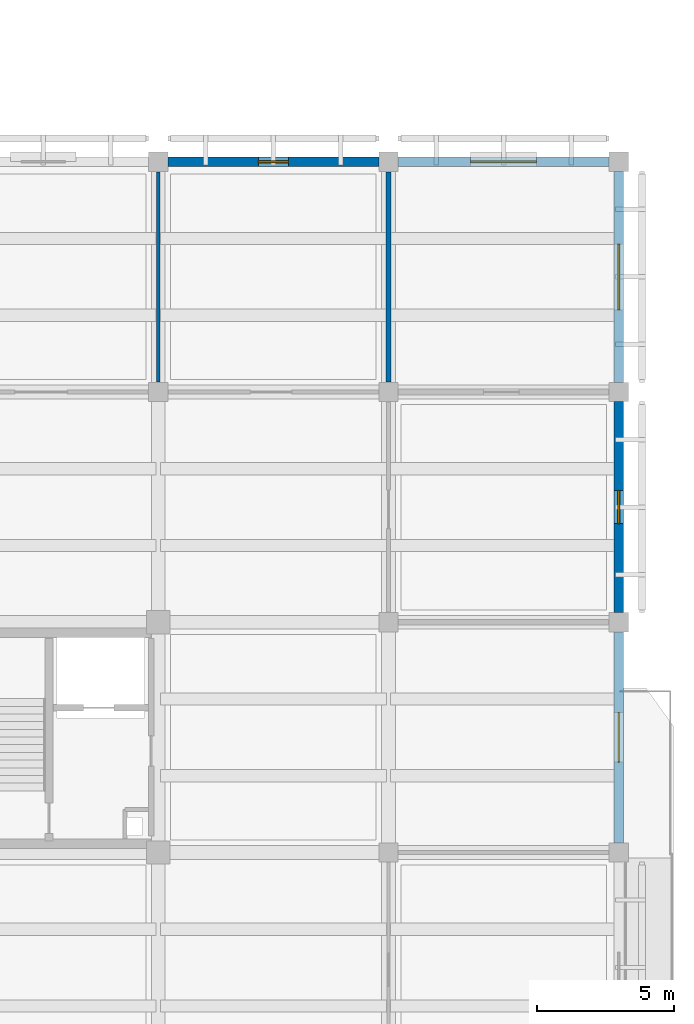
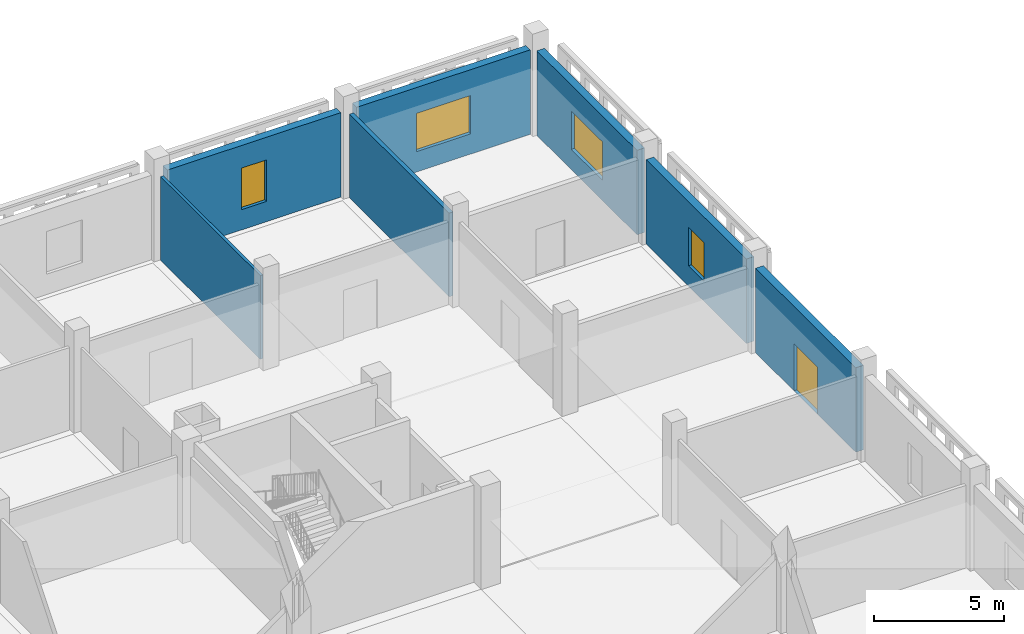
# One storey, part 74 of 129: 7 walls, 4 windows, 1 door, 5 openings.
"""IFC4 building model written with IfcOpenShell, lengths in metres."""

from ifc_helpers import new_model, si_unit, direction, frame, frame_2d, origin, place, context, subcontext, project, spatial, rectangle, extrude, material, layer, layer_set, type_object, element, fill, save


model = new_model("IFC4")

# Units and contexts
model_context = context("Model", 3, precision=1e-05, world=origin(), true_north=direction((0.0, 1.0)))
body_context = subcontext(model_context, "Body", "Model", "MODEL_VIEW")
ifc_project = project(units=[si_unit("LENGTHUNIT", "METRE"), si_unit("AREAUNIT", "SQUARE_METRE"), si_unit("VOLUMEUNIT", "CUBIC_METRE"), si_unit("PLANEANGLEUNIT", "RADIAN"), si_unit("MASSUNIT", "GRAM", prefix="KILO")], contexts=[model_context])

# Site, building, storey
site_placement = place(None, origin())
site = spatial("IfcSite", under=ifc_project, at=site_placement, CompositionType="ELEMENT")
building_placement = place(site_placement, origin())
building = spatial("IfcBuilding", under=site, at=building_placement, Name="Varnapada Polytechnic", CompositionType="ELEMENT")
storey_placement = place(building_placement, origin())
storey = spatial("IfcBuildingStorey", under=building, at=storey_placement, Name="L00", CompositionType="ELEMENT", Elevation=0.0)

# Walls
ifc_material_1 = material(Name="Gypsum Plasterboard Acoustic Partition")
ifc_layer_1 = layer(ifc_material_1, 0.125)
ifc_layer_set_1 = layer_set([ifc_layer_1], Name="Gypsum Plasterboard Acoustic Partition")
wall_type_1 = type_object("IfcWallType", Name="Interior Wall IW-03", PredefinedType="PARTITIONING", material=ifc_layer_set_1)
wall_1_placement = place(storey_placement, frame((159.60009765625, 109.570068359375, 0.0), z_axis=(0.0, 0.0, 1.0), x_axis=(0.0, 1.0, 0.0)))
element("IfcWall", 1, at=wall_1_placement, inside=storey, type_object=wall_type_1, Name="L00 interior partition IW-L00-18-13-V", PredefinedType="PARTITIONING", context=body_context, shape_type="SweptSolid", body=[
    extrude(rectangle(XDim=7.659912109375, YDim=0.125, at=frame_2d((3.830078125, 0.0))), origin(), (0.0, 0.0, 1.0), 3.919921875),
])
ifc_material_2 = material(Name="Acoustic Double-Stud Studio Partition")
ifc_layer_2 = layer(ifc_material_2, 0.179931640625)
ifc_layer_set_2 = layer_set([ifc_layer_2], Name="Acoustic Double-Stud Studio Partition")
wall_type_2 = type_object("IfcWallType", Name="Interior Wall IW-06", PredefinedType="PARTITIONING", material=ifc_layer_set_2)
wall_2_placement = place(storey_placement, frame((168.0, 109.570068359375, 0.0), z_axis=(0.0, 0.0, 1.0), x_axis=(0.0, 1.0, 0.0)))
element("IfcWall", 2, at=wall_2_placement, inside=storey, type_object=wall_type_2, Name="L00 interior partition IW-L00-19-13-V", PredefinedType="PARTITIONING", context=body_context, shape_type="SweptSolid", body=[
    extrude(rectangle(XDim=7.659912109375, YDim=0.179931640625, at=frame_2d((3.830078125, 0.0))), origin(), (0.0, 0.0, 1.0), 3.919921875),
])

# Wall, opening, window
ifc_material_3 = material(Name="Precast concrete C40/50", Category="concrete")
ifc_layer_3 = layer(ifc_material_3, 0.340087890625)
ifc_layer_set_3 = layer_set([ifc_layer_3], Name="Precast concrete C40/50")
wall_type_3 = type_object("IfcWallType", Name="Wall EW-07", PredefinedType="SOLIDWALL", material=ifc_layer_set_3)
wall_3_placement = place(storey_placement, frame((159.949951171875, 117.60009765625, 0.0), z_axis=(0.0, 0.0, 1.0), x_axis=(1.0, 0.0, 0.0)))
wall_3 = element("IfcWall", 3, at=wall_3_placement, inside=storey, type_object=wall_type_3, Name="L00 exterior wall EW-07 (96)", PredefinedType="SOLIDWALL", context=body_context, shape_type="SweptSolid", body=[
    extrude(rectangle(XDim=7.699951171875, YDim=0.340087890625, at=frame_2d((3.85009765625, 0.0))), origin(), (0.0, 0.0, 1.0), 3.9599609375),
])
opening_1_placement = place(wall_3_placement, frame((3.300048828125, 0.0, 0.949951171875)))
opening_1 = element("IfcOpeningElement", 4, at=opening_1_placement, cuts=wall_3, Name="Opening WN-15", PredefinedType="OPENING", context=body_context, shape_type="SweptSolid", body=[
    extrude(rectangle(XDim=1.10009765625, YDim=1.949951171875, at=frame_2d((0.550048828125, 0.97509765625))), frame((0.0, 0.179931640625, 0.0), z_axis=(0.0, -1.0, 0.0), x_axis=(1.0, 0.0, 0.0)), (0.0, 0.0, 1.0), 0.360107421875),
])
ifc_material_4 = material(Name="Double low-E laminated glass", Category="glass")
window_type_1 = type_object("IfcWindowType", Name="Window WN-15", PartitioningType="SINGLE_PANEL", PredefinedType="WINDOW", material=ifc_material_4)
window_1_placement = place(opening_1_placement, origin())
window_1 = element("IfcWindow", 5, at=window_1_placement, inside=storey, type_object=window_type_1, Name="L00 window WN-15 (50)", OverallHeight=1.949951171875, OverallWidth=1.10009765625, PartitioningType="SINGLE_PANEL", PredefinedType="WINDOW", context=body_context, shape_type="SweptSolid", body=[
    extrude(rectangle(XDim=1.10009765625, YDim=1.949951171875, at=frame_2d((0.550048828125, 0.97509765625))), frame((0.0, 0.030029296875, 0.0), z_axis=(0.0, -1.0, 0.0), x_axis=(1.0, 0.0, 0.0)), (0.0, 0.0, 1.0), 0.06005859375),
])
fill(opening_1, window_1)

# Wall, opening, door
wall_4_placement = place(storey_placement, frame((176.39990234375, 100.449951171875, 0.0), z_axis=(0.0, 0.0, 1.0), x_axis=(0.0, -1.0, 0.0)))
wall_4 = element("IfcWall", 6, at=wall_4_placement, inside=storey, type_object=wall_type_3, Name="L00 exterior wall EW-07 (110)", PredefinedType="SOLIDWALL", context=body_context, shape_type="SweptSolid", body=[
    extrude(rectangle(XDim=7.699951171875, YDim=0.340087890625, at=frame_2d((3.85009765625, 0.0))), origin(), (0.0, 0.0, 1.0), 3.9599609375),
])
opening_2_placement = place(wall_4_placement, frame((2.949951171875, 0.0, 0.0)))
opening_2 = element("IfcOpeningElement", 7, at=opening_2_placement, cuts=wall_4, Name="Opening D-027", PredefinedType="OPENING", context=body_context, shape_type="SweptSolid", body=[
    extrude(rectangle(XDim=1.800048828125, YDim=2.199951171875, at=frame_2d((0.89990234375, 1.10009765625))), frame((0.0, 0.179931640625, 0.0), z_axis=(0.0, -1.0, 0.0), x_axis=(1.0, 0.0, 0.0)), (0.0, 0.0, 1.0), 0.360107421875),
])
ifc_material_5 = material(Name="Painted galvanized steel", Category="steel")
door_type = type_object("IfcDoorType", Name="Exterior Door ED-02", OperationType="DOUBLE_DOOR_SINGLE_SWING", PredefinedType="DOOR", material=ifc_material_5)
door_placement = place(opening_2_placement, origin())
door = element("IfcDoor", 8, at=door_placement, inside=storey, type_object=door_type, Name="L00 final pedestrian exit door D-027", OperationType="DOUBLE_DOOR_SINGLE_SWING", OverallHeight=2.199951171875, OverallWidth=1.800048828125, PredefinedType="DOOR", context=body_context, shape_type="SweptSolid", body=[
    extrude(rectangle(XDim=1.800048828125, YDim=2.199951171875, at=frame_2d((0.89990234375, 1.10009765625))), frame((0.0, 0.02490234375, 0.0), z_axis=(0.0, -1.0, 0.0), x_axis=(1.0, 0.0, 0.0)), (0.0, 0.0, 1.0), 0.050048828125),
])
fill(opening_2, door)

# Wall, opening, window
wall_5_placement = place(storey_placement, frame((176.39990234375, 108.85009765625, 0.0), z_axis=(0.0, 0.0, 1.0), x_axis=(0.0, -1.0, 0.0)))
wall_5 = element("IfcWall", 9, at=wall_5_placement, inside=storey, type_object=wall_type_3, Name="L00 exterior wall EW-07 (111)", PredefinedType="SOLIDWALL", context=body_context, shape_type="SweptSolid", body=[
    extrude(rectangle(XDim=7.7001953125, YDim=0.340087890625, at=frame_2d((3.85009765625, 0.0))), origin(), (0.0, 0.0, 1.0), 3.9599609375),
])
opening_3_placement = place(wall_5_placement, frame((3.25, 0.0, 0.949951171875)))
opening_3 = element("IfcOpeningElement", 10, at=opening_3_placement, cuts=wall_5, Name="Opening WN-01", PredefinedType="OPENING", context=body_context, shape_type="SweptSolid", body=[
    extrude(rectangle(XDim=1.199951171875, YDim=1.800048828125, at=frame_2d((0.60009765625, 0.89990234375))), frame((0.0, 0.179931640625, 0.0), z_axis=(0.0, -1.0, 0.0), x_axis=(1.0, 0.0, 0.0)), (0.0, 0.0, 1.0), 0.360107421875),
])
window_type_2 = type_object("IfcWindowType", Name="Window WN-01", PartitioningType="SINGLE_PANEL", PredefinedType="WINDOW", material=ifc_material_4)
window_2_placement = place(opening_3_placement, origin())
window_2 = element("IfcWindow", 11, at=window_2_placement, inside=storey, type_object=window_type_2, Name="L00 window WN-01 (63)", OverallHeight=1.800048828125, OverallWidth=1.199951171875, PartitioningType="SINGLE_PANEL", PredefinedType="WINDOW", context=body_context, shape_type="SweptSolid", body=[
    extrude(rectangle(XDim=1.199951171875, YDim=1.800048828125, at=frame_2d((0.60009765625, 0.89990234375))), frame((0.0, 0.030029296875, 0.0), z_axis=(0.0, -1.0, 0.0), x_axis=(1.0, 0.0, 0.0)), (0.0, 0.0, 1.0), 0.06005859375),
])
fill(opening_3, window_2)

wall_6_placement = place(storey_placement, frame((168.35009765625, 117.60009765625, 0.0), z_axis=(0.0, 0.0, 1.0), x_axis=(1.0, 0.0, 0.0)))
wall_6 = element("IfcWall", 12, at=wall_6_placement, inside=storey, type_object=wall_type_3, Name="L00 exterior wall EW-07 (112)", PredefinedType="SOLIDWALL", context=body_context, shape_type="SweptSolid", body=[
    extrude(rectangle(XDim=7.699951171875, YDim=0.340087890625, at=frame_2d((3.85009765625, 0.0))), origin(), (0.0, 0.0, 1.0), 3.9599609375),
])
opening_4_placement = place(wall_6_placement, frame((2.64990234375, 0.0, 0.949951171875)))
opening_4 = element("IfcOpeningElement", 13, at=opening_4_placement, cuts=wall_6, Name="Opening WN-02", PredefinedType="OPENING", context=body_context, shape_type="SweptSolid", body=[
    extrude(rectangle(XDim=2.39990234375, YDim=1.800048828125, at=frame_2d((1.199951171875, 0.89990234375))), frame((0.0, 0.179931640625, 0.0), z_axis=(0.0, -1.0, 0.0), x_axis=(1.0, 0.0, 0.0)), (0.0, 0.0, 1.0), 0.360107421875),
])
window_type_3 = type_object("IfcWindowType", Name="Window WN-02", PartitioningType="SINGLE_PANEL", PredefinedType="WINDOW", material=ifc_material_4)
window_3_placement = place(opening_4_placement, origin())
window_3 = element("IfcWindow", 14, at=window_3_placement, inside=storey, type_object=window_type_3, Name="L00 window WN-02 (64)", OverallHeight=1.800048828125, OverallWidth=2.39990234375, PartitioningType="SINGLE_PANEL", PredefinedType="WINDOW", context=body_context, shape_type="SweptSolid", body=[
    extrude(rectangle(XDim=2.39990234375, YDim=1.800048828125, at=frame_2d((1.199951171875, 0.89990234375))), frame((0.0, 0.030029296875, 0.0), z_axis=(0.0, -1.0, 0.0), x_axis=(1.0, 0.0, 0.0)), (0.0, 0.0, 1.0), 0.06005859375),
])
fill(opening_4, window_3)

wall_7_placement = place(storey_placement, frame((176.39990234375, 117.25, 0.0), z_axis=(0.0, 0.0, 1.0), x_axis=(0.0, -1.0, 0.0)))
wall_7 = element("IfcWall", 15, at=wall_7_placement, inside=storey, type_object=wall_type_3, Name="L00 exterior wall EW-07 (113)", PredefinedType="SOLIDWALL", context=body_context, shape_type="SweptSolid", body=[
    extrude(rectangle(XDim=7.699951171875, YDim=0.340087890625, at=frame_2d((3.85009765625, 0.0))), origin(), (0.0, 0.0, 1.0), 3.9599609375),
])
opening_5_placement = place(wall_7_placement, frame((2.64990234375, 0.0, 0.949951171875)))
opening_5 = element("IfcOpeningElement", 16, at=opening_5_placement, cuts=wall_7, Name="Opening WN-02", PredefinedType="OPENING", context=body_context, shape_type="SweptSolid", body=[
    extrude(rectangle(XDim=2.39990234375, YDim=1.800048828125, at=frame_2d((1.199951171875, 0.89990234375))), frame((0.0, 0.179931640625, 0.0), z_axis=(0.0, -1.0, 0.0), x_axis=(1.0, 0.0, 0.0)), (0.0, 0.0, 1.0), 0.360107421875),
])
window_4_placement = place(opening_5_placement, origin())
window_4 = element("IfcWindow", 17, at=window_4_placement, inside=storey, type_object=window_type_3, Name="L00 window WN-02 (65)", OverallHeight=1.800048828125, OverallWidth=2.39990234375, PartitioningType="SINGLE_PANEL", PredefinedType="WINDOW", context=body_context, shape_type="SweptSolid", body=[
    extrude(rectangle(XDim=2.39990234375, YDim=1.800048828125, at=frame_2d((1.199951171875, 0.89990234375))), frame((0.0, 0.030029296875, 0.0), z_axis=(0.0, -1.0, 0.0), x_axis=(1.0, 0.0, 0.0)), (0.0, 0.0, 1.0), 0.06005859375),
])
fill(opening_5, window_4)

save(model, "model.ifc")
